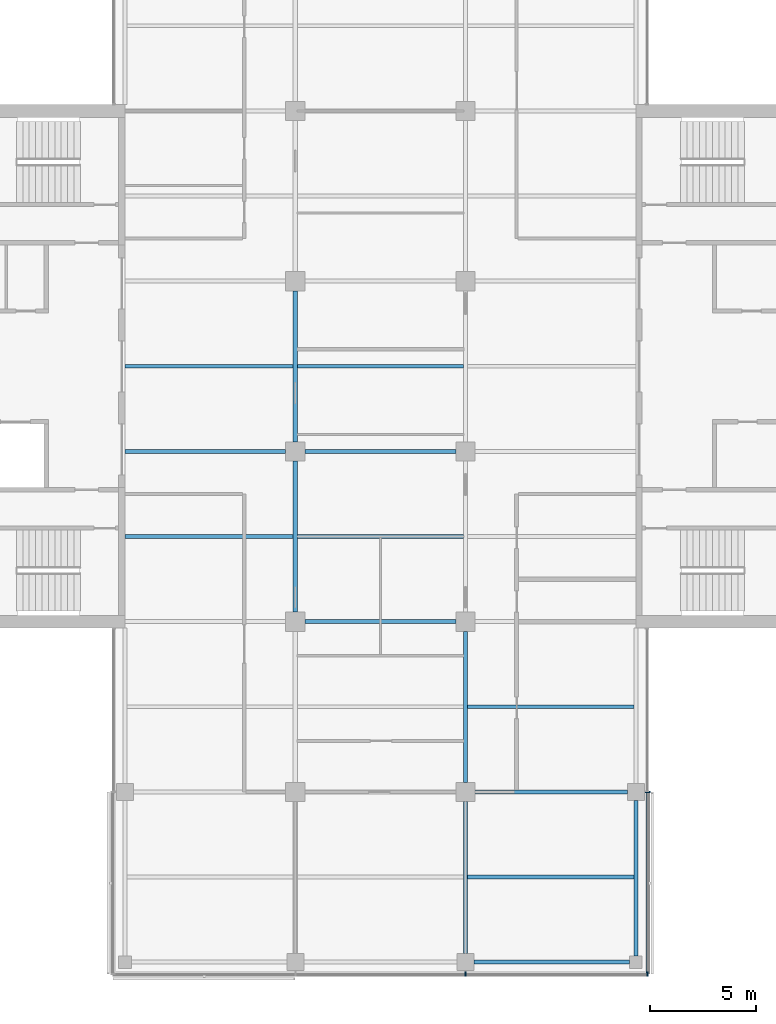
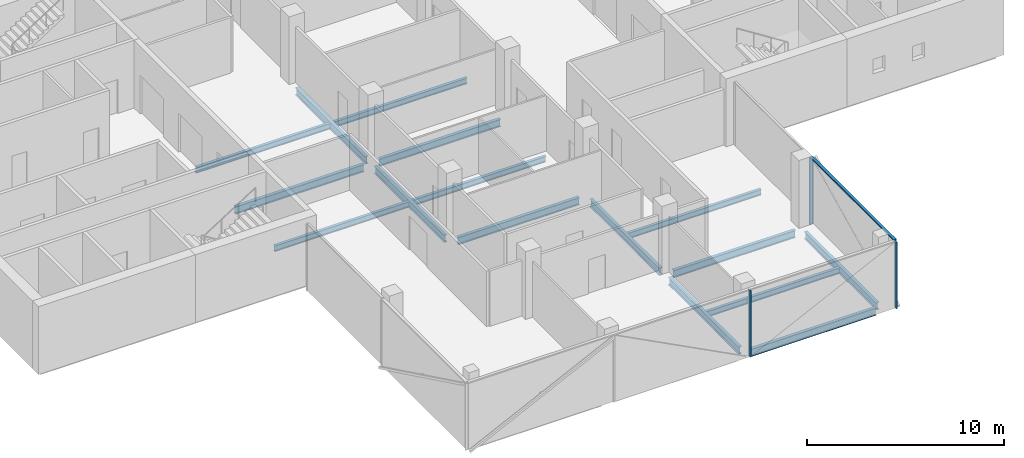
# One storey, part 3 of 15: 16 beams, 4 members, 2 elements without a shape of their own.
"""IFC4 building model written with IfcOpenShell, lengths in metres."""

from ifc_helpers import new_model, si_unit, direction, frame, origin, origin_2d, place, context, subcontext, project, spatial, rectangle, i_section, extrude, material, material_profile, profile_set, type_object, element, aggregate, save


model = new_model("IFC4")

# Units and contexts
model_context = context("Model", 3, precision=1e-05, world=origin(), true_north=direction((0.0, 1.0)))
body_context = subcontext(model_context, "Body", "Model", "MODEL_VIEW")
ifc_project = project(units=[si_unit("LENGTHUNIT", "METRE"), si_unit("AREAUNIT", "SQUARE_METRE"), si_unit("VOLUMEUNIT", "CUBIC_METRE"), si_unit("PLANEANGLEUNIT", "RADIAN"), si_unit("MASSUNIT", "GRAM", prefix="KILO")], contexts=[model_context])

# Site, building, storey
site_placement = place(None, origin())
site = spatial("IfcSite", under=ifc_project, at=site_placement, CompositionType="ELEMENT")
building_placement = place(site_placement, origin())
building = spatial("IfcBuilding", under=site, at=building_placement, Name="Crosswind Convention Tower", CompositionType="ELEMENT")
storey_placement = place(building_placement, frame((0.0, 0.0, 191.5)))
storey = spatial("IfcBuildingStorey", under=building, at=storey_placement, Name="L40", CompositionType="ELEMENT", Elevation=191.5)

# Beams
ifc_material_1 = material(Name="Steel S355", Category="steel")
ifc_material_profile_1 = material_profile(ifc_material_1, i_section(OverallWidth=0.18994140625, OverallDepth=0.45361328125, WebThickness=0.008544921875, FlangeThickness=0.0126953125, FilletRadius=0.01025390625, at=origin_2d()), Name="UB 457x191x67")
ifc_profile_set_1 = profile_set([ifc_material_profile_1], Name="Steel S355")
beam_type_1 = type_object("IfcBeamType", Name="Edge beam UB 457x191x67", PredefinedType="SPANDREL", material=ifc_profile_set_1)
for number, where, z_axis, x_axis, name in (
    (1, (129.39990234375, 72.0, -0.52685546875), (1.0, 0.0, 0.0), (0.0, 1.0, 0.0), "B16 L40 edge beam 9"),
    (2, (137.0, 72.300048828125, -0.52685546875), (0.0, 1.0, 0.0), (-1.0, 0.0, 0.0), "B16 L40 edge beam 11"),
):
    element("IfcBeam", number, at=place(storey_placement, frame(where, z_axis=z_axis, x_axis=x_axis)), inside=storey, type_object=beam_type_1, Name=name, PredefinedType="SPANDREL", context=body_context, shape_type="SweptSolid", body=[
        extrude(i_section(OverallWidth=0.18994140625, OverallDepth=0.45361328125, WebThickness=0.008544921875, FlangeThickness=0.0126953125, FilletRadius=0.01025390625, at=origin_2d()), origin(), (0.0, 0.0, 1.0), 7.300048828125),
    ])
ifc_material_profile_2 = material_profile(ifc_material_1, i_section(OverallWidth=0.1904296875, OverallDepth=0.457275390625, WebThickness=0.009033203125, FlangeThickness=0.014404296875, FilletRadius=0.01025390625, at=origin_2d()), Name="UB 457x191x75")
ifc_profile_set_2 = profile_set([ifc_material_profile_2], Name="Steel S355")
beam_type_2 = type_object("IfcBeamType", Name="Girder UB 457x191x75", PredefinedType="BEAM", material=ifc_profile_set_2)
for number, where, z_axis, x_axis, name in (
    (3, (121.0, 88.449951171875, -0.528564453125), (0.0, 1.0, 0.0), (-1.0, 0.0, 0.0), "B2 L40 girder 5"),
    (4, (121.0, 96.449951171875, -0.528564453125), (0.0, 1.0, 0.0), (-1.0, 0.0, 0.0), "B2 L40 girder 6"),
    (5, (121.449951171875, 88.0, -0.528564453125), (1.0, 0.0, 0.0), (0.0, 1.0, 0.0), "B2 L40 girder 11"),
    (6, (121.449951171875, 96.0, -0.528564453125), (1.0, 0.0, 0.0), (0.0, 1.0, 0.0), "B2 L40 girder 12"),
):
    element("IfcBeam", number, at=place(storey_placement, frame(where, z_axis=z_axis, x_axis=x_axis)), inside=storey, type_object=beam_type_2, Name=name, PredefinedType="BEAM", context=body_context, shape_type="SweptSolid", body=[
        extrude(i_section(OverallWidth=0.1904296875, OverallDepth=0.457275390625, WebThickness=0.009033203125, FlangeThickness=0.014404296875, FilletRadius=0.01025390625, at=origin_2d()), origin(), (0.0, 0.0, 1.0), 7.10009765625),
    ])
beam_1_placement = place(storey_placement, frame((129.0, 72.39990234375, -0.528564453125), z_axis=(0.0, 1.0, 0.0), x_axis=(-1.0, 0.0, 0.0)))
element("IfcBeam", 7, at=beam_1_placement, inside=storey, type_object=beam_type_2, Name="B2 L40 girder 16", PredefinedType="BEAM", context=body_context, shape_type="SweptSolid", body=[
    extrude(i_section(OverallWidth=0.1904296875, OverallDepth=0.457275390625, WebThickness=0.009033203125, FlangeThickness=0.014404296875, FilletRadius=0.01025390625, at=origin_2d()), origin(), (0.0, 0.0, 1.0), 7.150146484375),
])
beam_2_placement = place(storey_placement, frame((129.0, 80.449951171875, -0.528564453125), z_axis=(0.0, 1.0, 0.0), x_axis=(-1.0, 0.0, 0.0)))
element("IfcBeam", 8, at=beam_2_placement, inside=storey, type_object=beam_type_2, Name="B2 L40 girder 17", PredefinedType="BEAM", context=body_context, shape_type="SweptSolid", body=[
    extrude(i_section(OverallWidth=0.1904296875, OverallDepth=0.457275390625, WebThickness=0.009033203125, FlangeThickness=0.014404296875, FilletRadius=0.01025390625, at=origin_2d()), origin(), (0.0, 0.0, 1.0), 7.10009765625),
])
beam_3_placement = place(storey_placement, frame((129.449951171875, 80.0, -0.528564453125), z_axis=(1.0, 0.0, 0.0), x_axis=(0.0, 1.0, 0.0)))
element("IfcBeam", 9, at=beam_3_placement, inside=storey, type_object=beam_type_2, Name="B2 L40 girder 23", PredefinedType="BEAM", context=body_context, shape_type="SweptSolid", body=[
    extrude(i_section(OverallWidth=0.1904296875, OverallDepth=0.457275390625, WebThickness=0.009033203125, FlangeThickness=0.014404296875, FilletRadius=0.01025390625, at=origin_2d()), origin(), (0.0, 0.0, 1.0), 7.150146484375),
])
ifc_material_profile_3 = material_profile(ifc_material_1, i_section(OverallWidth=0.19140625, OverallDepth=0.460205078125, WebThickness=0.010009765625, FlangeThickness=0.01611328125, FilletRadius=0.01025390625, at=origin_2d()), Name="UB 457x191x82")
ifc_profile_set_3 = profile_set([ifc_material_profile_3], Name="Steel S355")
beam_type_3 = type_object("IfcBeamType", Name="Girder at core wall UB 457x191x82", PredefinedType="BEAM", material=ifc_profile_set_3)
beam_4_placement = place(storey_placement, frame((113.0, 96.0, -0.530029296875), z_axis=(1.0, 0.0, 0.0), x_axis=(0.0, 1.0, 0.0)))
element("IfcBeam", 10, at=beam_4_placement, inside=storey, type_object=beam_type_3, Name="B23 L40 girder at core wall 2", PredefinedType="BEAM", context=body_context, shape_type="SweptSolid", body=[
    extrude(i_section(OverallWidth=0.19140625, OverallDepth=0.460205078125, WebThickness=0.010009765625, FlangeThickness=0.01611328125, FilletRadius=0.01025390625, at=origin_2d()), origin(), (0.0, 0.0, 1.0), 7.550048828125),
])

# Curtain wall, members
ifc_material_2 = material(Name="Aluminium unitised curtain wall", Category="aluminium")
curtain_wall_type = type_object("IfcCurtainWallType", Name="OFFICE UNITISED WALL 220", PredefinedType="USERDEFINED", material=ifc_material_2)
curtain_wall_1_placement = place(storey_placement, origin())
curtain_wall_1 = element("IfcCurtainWall", 11, at=curtain_wall_1_placement, inside=storey, type_object=curtain_wall_type, Name="CW3 L40 S-TIP 1", ObjectType="UNITISED", PredefinedType="USERDEFINED")
ifc_material_3 = material(Name="Aluminium mullion", Category="aluminium")
ifc_material_profile_4 = material_profile(ifc_material_3, rectangle(XDim=0.219970703125, YDim=0.070068359375, at=origin_2d()), Name="AL 220X70")
ifc_profile_set_4 = profile_set([ifc_material_profile_4], Name="Aluminium mullion")
member_type_1 = type_object("IfcMemberType", Name="MULLION 70X220", PredefinedType="MULLION", material=ifc_profile_set_4)
member_1_placement = place(storey_placement, frame((129.0, 71.43994140625, -0.300048828125), z_axis=(0.0, 0.0, 1.0), x_axis=(0.0, -1.0, 0.0)))
member_1 = element("IfcMember", 12, at=member_1_placement, type_object=member_type_1, Name="CW3 mullion 3", PredefinedType="MULLION", context=body_context, shape_type="SweptSolid", body=[
    extrude(rectangle(XDim=0.219970703125, YDim=0.070068359375, at=origin_2d()), origin(), (0.0, 0.0, 1.0), 4.130126953125),
])
member_2_placement = place(storey_placement, frame((137.56005859375, 71.43994140625, -0.300048828125), z_axis=(0.0, 0.0, 1.0), x_axis=(0.0, -1.0, 0.0)))
member_2 = element("IfcMember", 13, at=member_2_placement, type_object=member_type_1, Name="CW3 mullion 4", PredefinedType="MULLION", context=body_context, shape_type="SweptSolid", body=[
    extrude(rectangle(XDim=0.219970703125, YDim=0.070068359375, at=origin_2d()), origin(), (0.0, 0.0, 1.0), 4.130126953125),
])
aggregate(curtain_wall_1, [member_1, member_2])

# Curtain wall, member
curtain_wall_2_placement = place(storey_placement, origin())
curtain_wall_2 = element("IfcCurtainWall", 14, at=curtain_wall_2_placement, inside=storey, type_object=curtain_wall_type, Name="CW3 L40 S-E 1", ObjectType="UNITISED", PredefinedType="USERDEFINED")
member_3_placement = place(storey_placement, frame((137.56005859375, 80.0, -0.300048828125), z_axis=(0.0, 0.0, 1.0), x_axis=(1.0, 0.0, 0.0)))
member_3 = element("IfcMember", 15, at=member_3_placement, type_object=member_type_1, Name="CW3 mullion 2", PredefinedType="MULLION", context=body_context, shape_type="SweptSolid", body=[
    extrude(rectangle(XDim=0.219970703125, YDim=0.070068359375, at=origin_2d()), origin(), (0.0, 0.0, 1.0), 4.130126953125),
])

# Beams
ifc_material_profile_5 = material_profile(ifc_material_1, i_section(OverallWidth=0.172119140625, OverallDepth=0.358642578125, WebThickness=0.008056640625, FlangeThickness=0.012939453125, FilletRadius=0.01025390625, at=origin_2d()), Name="UB 356x171x57")
ifc_profile_set_5 = profile_set([ifc_material_profile_5], Name="Steel S355")
beam_type_4 = type_object("IfcBeamType", Name="Secondary beam UB 356x171x57", PredefinedType="JOIST", material=ifc_profile_set_5)
for number, where, z_axis, x_axis, name in (
    (16, (113.0, 92.0, -0.479248046875), (1.0, 0.0, 0.0), (0.0, 1.0, 0.0), "B9 L40 secondary beam 1"),
    (17, (113.0, 100.0, -0.479248046875), (1.0, 0.0, 0.0), (0.0, 1.0, 0.0), "B9 L40 secondary beam 2"),
):
    element("IfcBeam", number, at=place(storey_placement, frame(where, z_axis=z_axis, x_axis=x_axis)), inside=storey, type_object=beam_type_4, Name=name, PredefinedType="JOIST", context=body_context, shape_type="SweptSolid", body=[
        extrude(i_section(OverallWidth=0.172119140625, OverallDepth=0.358642578125, WebThickness=0.008056640625, FlangeThickness=0.012939453125, FilletRadius=0.01025390625, at=origin_2d()), origin(), (0.0, 0.0, 1.0), 7.90478515625),
    ])
for number, where, z_axis, x_axis, name in (
    (18, (121.09521484375, 92.0, -0.479248046875), (1.0, 0.0, 0.0), (0.0, 1.0, 0.0), "B9 L40 secondary beam 10"),
    (19, (121.09521484375, 100.0, -0.479248046875), (1.0, 0.0, 0.0), (0.0, 1.0, 0.0), "B9 L40 secondary beam 11"),
):
    element("IfcBeam", number, at=place(storey_placement, frame(where, z_axis=z_axis, x_axis=x_axis)), inside=storey, type_object=beam_type_4, Name=name, PredefinedType="JOIST", context=body_context, shape_type="SweptSolid", body=[
        extrude(i_section(OverallWidth=0.172119140625, OverallDepth=0.358642578125, WebThickness=0.008056640625, FlangeThickness=0.012939453125, FilletRadius=0.01025390625, at=origin_2d()), origin(), (0.0, 0.0, 1.0), 7.8095703125),
    ])
for number, where, z_axis, x_axis, name in (
    (20, (129.09521484375, 76.0, -0.479248046875), (1.0, 0.0, 0.0), (0.0, 1.0, 0.0), "B9 L40 secondary beam 15"),
    (21, (129.09521484375, 84.0, -0.479248046875), (1.0, 0.0, 0.0), (0.0, 1.0, 0.0), "B9 L40 secondary beam 16"),
):
    element("IfcBeam", number, at=place(storey_placement, frame(where, z_axis=z_axis, x_axis=x_axis)), inside=storey, type_object=beam_type_4, Name=name, PredefinedType="JOIST", context=body_context, shape_type="SweptSolid", body=[
        extrude(i_section(OverallWidth=0.172119140625, OverallDepth=0.358642578125, WebThickness=0.008056640625, FlangeThickness=0.012939453125, FilletRadius=0.01025390625, at=origin_2d()), origin(), (0.0, 0.0, 1.0), 7.809814453125),
    ])

# Member
ifc_material_4 = material(Name="Aluminium transom", Category="aluminium")
ifc_material_profile_6 = material_profile(ifc_material_4, rectangle(XDim=0.159912109375, YDim=0.070068359375, at=origin_2d()), Name="AL 160X70")
ifc_profile_set_6 = profile_set([ifc_material_profile_6], Name="Aluminium transom")
member_type_2 = type_object("IfcMemberType", Name="TRANSOM 70X160", PredefinedType="USERDEFINED", material=ifc_profile_set_6)
member_4_placement = place(storey_placement, frame((137.56005859375, 71.47509765625, 3.864990234375), z_axis=(0.0, 1.0, 0.0), x_axis=(-1.0, 0.0, 0.0)))
member_4 = element("IfcMember", 22, at=member_4_placement, type_object=member_type_2, Name="CW3 transom", ObjectType="TRANSOM", PredefinedType="USERDEFINED", context=body_context, shape_type="SweptSolid", body=[
    extrude(rectangle(XDim=0.159912109375, YDim=0.070068359375, at=origin_2d()), origin(), (0.0, 0.0, 1.0), 8.489990234375),
])

aggregate(curtain_wall_2, [member_3, member_4])

save(model, "model.ifc")
